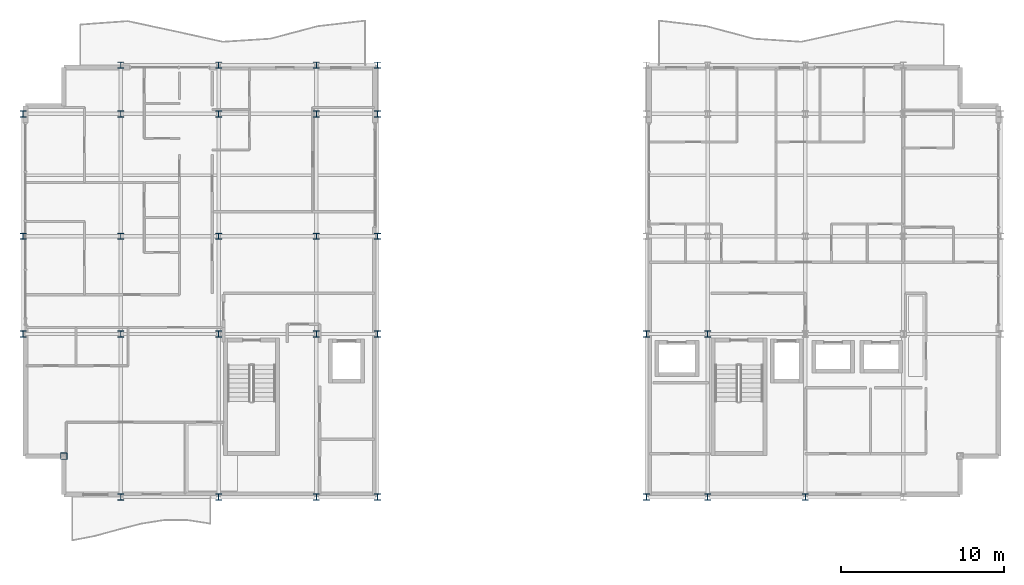
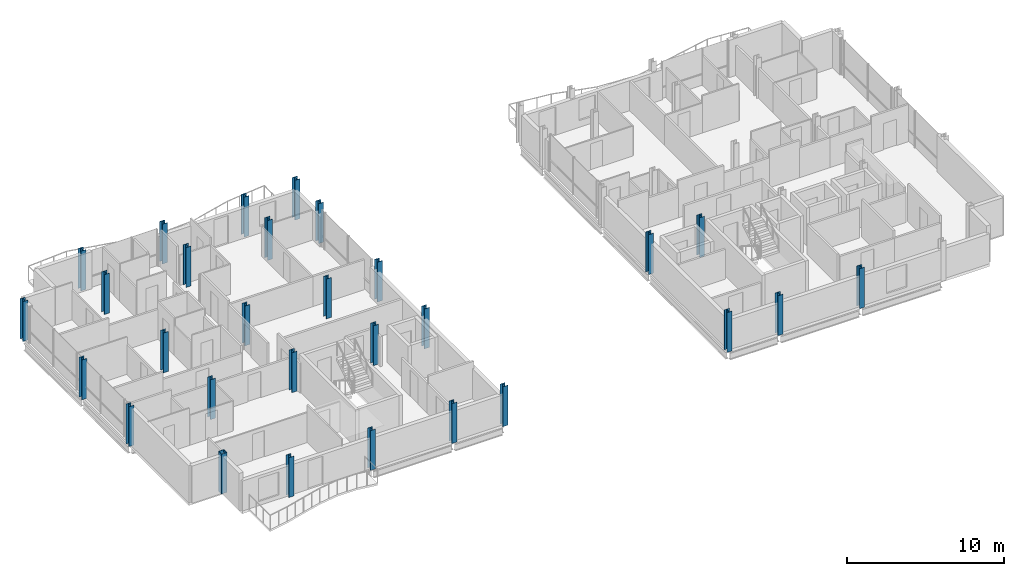
# One storey, part 1 of 29: 29 columns.
"""IFC4 building model written with IfcOpenShell, lengths in metres."""

from ifc_helpers import new_model, si_unit, direction, frame, origin, origin_2d, place, context, subcontext, project, spatial, hollow_rectangle, i_section, extrude, material, material_profile, profile_set, type_object, element, save


model = new_model("IFC4")

# Units and contexts
model_context = context("Model", 3, precision=1e-05, world=origin(), true_north=direction((0.0, 1.0)))
body_context = subcontext(model_context, "Body", "Model", "MODEL_VIEW")
ifc_project = project(units=[si_unit("LENGTHUNIT", "METRE"), si_unit("AREAUNIT", "SQUARE_METRE"), si_unit("VOLUMEUNIT", "CUBIC_METRE"), si_unit("PLANEANGLEUNIT", "RADIAN"), si_unit("MASSUNIT", "GRAM", prefix="KILO")], contexts=[model_context])

# Site, building, storey
site_placement = place(None, origin())
site = spatial("IfcSite", under=ifc_project, at=site_placement, CompositionType="ELEMENT")
building_placement = place(site_placement, origin())
building = spatial("IfcBuilding", under=site, at=building_placement, Name="Brevholm Reach", CompositionType="ELEMENT")
storey_placement = place(building_placement, frame((0.0, 0.0, 201.800048828125)))
storey = spatial("IfcBuildingStorey", under=building, at=storey_placement, Name="L61", CompositionType="ELEMENT", Elevation=201.800048828125)

# Columns
ifc_material_1 = material(Name="Structural Steel S460NH", Category="steel")
ifc_material_profile_1 = material_profile(ifc_material_1, hollow_rectangle(XDim=0.39990234375, YDim=0.39990234375, WallThickness=0.02001953125, InnerFilletRadius=0.011962890625, OuterFilletRadius=0.02392578125, at=origin_2d()), Name="SHS 400x400x20")
ifc_profile_set_1 = profile_set([ifc_material_profile_1], Name="Structural Steel S460NH")
column_type_1 = type_object("IfcColumnType", Name="COL-SHS2", PredefinedType="COLUMN", material=ifc_profile_set_1)
column_placement = place(storey_placement, frame((2.5, 2.5, 0.0), z_axis=(0.0, 0.0, 1.0), x_axis=(1.0, 0.0, 0.0)))
element("IfcColumn", 1, at=column_placement, inside=storey, type_object=column_type_1, Name="L61 Column 04", PredefinedType="COLUMN", context=body_context, shape_type="SweptSolid", body=[
    extrude(hollow_rectangle(XDim=0.39990234375, YDim=0.39990234375, WallThickness=0.02001953125, InnerFilletRadius=0.011962890625, OuterFilletRadius=0.02392578125, at=origin_2d()), origin(), (0.0, 0.0, 1.0), 3.099853515625),
])
ifc_material_2 = material(Name="Structural Steel S355J2", Category="steel")
ifc_material_profile_2 = material_profile(ifc_material_2, i_section(OverallWidth=0.374755859375, OverallDepth=0.37451171875, WebThickness=0.0166015625, FlangeThickness=0.027099609375, FilletRadius=0.01513671875, at=origin_2d()), Name="UKC 356x368x202")
ifc_profile_set_2 = profile_set([ifc_material_profile_2], Name="Structural Steel S355J2")
column_type_2 = type_object("IfcColumnType", Name="COL-UC6", PredefinedType="COLUMN", material=ifc_profile_set_2)
for number, where, z_axis, x_axis, name in (
    (2, (0.0, 10.0, 0.0), (0.0, 0.0, 1.0), (1.0, 0.0, 0.0), "L61 Column 01"),
    (3, (0.0, 16.0, 0.0), (0.0, 0.0, 1.0), (1.0, 0.0, 0.0), "L61 Column 02"),
    (4, (0.0, 23.5, 0.0), (0.0, 0.0, 1.0), (1.0, 0.0, 0.0), "L61 Column 03"),
    (5, (6.0, 0.0, 0.0), (0.0, 0.0, 1.0), (1.0, 0.0, 0.0), "L61 Column 05"),
    (6, (6.0, 10.0, 0.0), (0.0, 0.0, 1.0), (1.0, 0.0, 0.0), "L61 Column 06"),
    (7, (6.0, 16.0, 0.0), (0.0, 0.0, 1.0), (1.0, 0.0, 0.0), "L61 Column 07"),
    (8, (6.0, 23.5, 0.0), (0.0, 0.0, 1.0), (1.0, 0.0, 0.0), "L61 Column 08"),
    (9, (6.0, 26.5, 0.0), (0.0, 0.0, 1.0), (1.0, 0.0, 0.0), "L61 Column 09"),
    (10, (12.0, 0.0, 0.0), (0.0, 0.0, 1.0), (1.0, 0.0, 0.0), "L61 Column 10"),
    (11, (12.0, 10.0, 0.0), (0.0, 0.0, 1.0), (1.0, 0.0, 0.0), "L61 Column 11"),
    (12, (12.0, 16.0, 0.0), (0.0, 0.0, 1.0), (1.0, 0.0, 0.0), "L61 Column 12"),
    (13, (12.0, 23.5, 0.0), (0.0, 0.0, 1.0), (1.0, 0.0, 0.0), "L61 Column 13"),
    (14, (12.0, 26.5, 0.0), (0.0, 0.0, 1.0), (1.0, 0.0, 0.0), "L61 Column 14"),
    (15, (18.0, 0.0, 0.0), (0.0, 0.0, 1.0), (1.0, 0.0, 0.0), "L61 Column 15"),
    (16, (18.0, 10.0, 0.0), (0.0, 0.0, 1.0), (1.0, 0.0, 0.0), "L61 Column 16"),
    (17, (18.0, 16.0, 0.0), (0.0, 0.0, 1.0), (1.0, 0.0, 0.0), "L61 Column 17"),
    (18, (18.0, 23.5, 0.0), (0.0, 0.0, 1.0), (1.0, 0.0, 0.0), "L61 Column 18"),
    (19, (18.0, 26.5, 0.0), (0.0, 0.0, 1.0), (1.0, 0.0, 0.0), "L61 Column 19"),
    (20, (21.75, 0.0, 0.0), (0.0, 0.0, 1.0), (1.0, 0.0, 0.0), "L61 Column 20"),
    (21, (21.75, 10.0, 0.0), (0.0, 0.0, 1.0), (1.0, 0.0, 0.0), "L61 Column 21"),
    (22, (21.75, 16.0, 0.0), (0.0, 0.0, 1.0), (1.0, 0.0, 0.0), "L61 Column 22"),
    (23, (21.75, 23.5, 0.0), (0.0, 0.0, 1.0), (1.0, 0.0, 0.0), "L61 Column 23"),
    (24, (21.75, 26.5, 0.0), (0.0, 0.0, 1.0), (1.0, 0.0, 0.0), "L61 Column 24"),
    (25, (38.25, 0.0, 0.0), (0.0, 0.0, 1.0), (1.0, 0.0, 0.0), "L61 Column 25"),
    (26, (38.25, 10.0, 0.0), (0.0, 0.0, 1.0), (1.0, 0.0, 0.0), "L61 Column 26"),
    (27, (42.0, 0.0, 0.0), (0.0, 0.0, 1.0), (1.0, 0.0, 0.0), "L61 Column 30"),
    (28, (42.0, 10.0, 0.0), (0.0, 0.0, 1.0), (1.0, 0.0, 0.0), "L61 Column 31"),
    (29, (48.0, 0.0, 0.0), (0.0, 0.0, 1.0), (1.0, 0.0, 0.0), "L61 Column 35"),
):
    element("IfcColumn", number, at=place(storey_placement, frame(where, z_axis=z_axis, x_axis=x_axis)), inside=storey, type_object=column_type_2, Name=name, PredefinedType="COLUMN", context=body_context, shape_type="SweptSolid", body=[
        extrude(i_section(OverallWidth=0.374755859375, OverallDepth=0.37451171875, WebThickness=0.0166015625, FlangeThickness=0.027099609375, FilletRadius=0.01513671875, at=origin_2d()), origin(), (0.0, 0.0, 1.0), 3.099853515625),
    ])

save(model, "model.ifc")
